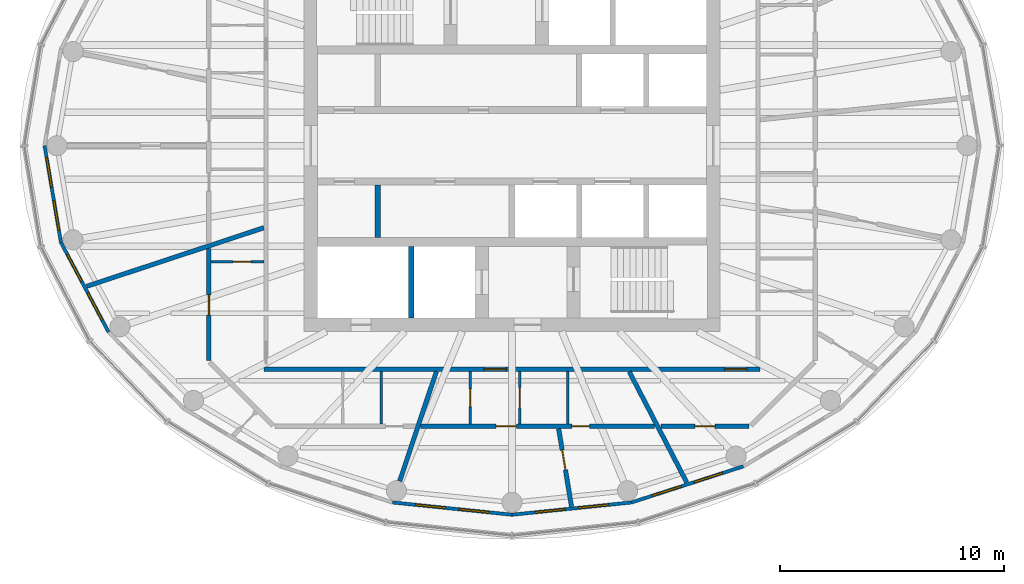
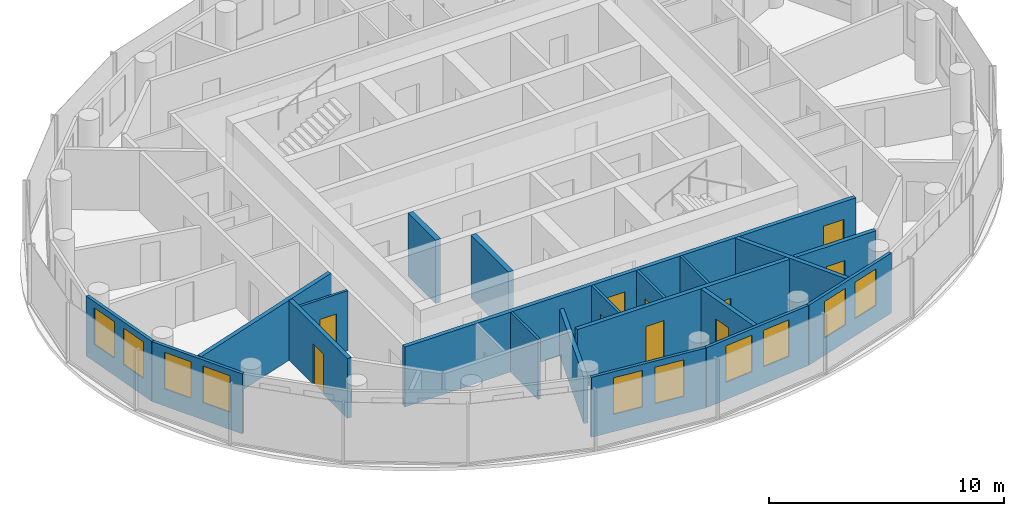
# One storey, part 5 of 11: 20 walls, 10 doors, 10 windows, 20 openings.
"""IFC4 building model written with IfcOpenShell, lengths in metres."""

from ifc_helpers import new_model, si_unit, direction, frame, frame_2d, origin, place, context, subcontext, project, spatial, rectangle, extrude, material, layer, layer_set, type_object, element, fill, save


model = new_model("IFC4")

# Units and contexts
model_context = context("Model", 3, precision=1e-05, world=origin(), true_north=direction((0.0, 1.0)))
body_context = subcontext(model_context, "Body", "Model", "MODEL_VIEW")
ifc_project = project(units=[si_unit("LENGTHUNIT", "METRE"), si_unit("AREAUNIT", "SQUARE_METRE"), si_unit("VOLUMEUNIT", "CUBIC_METRE"), si_unit("PLANEANGLEUNIT", "RADIAN"), si_unit("MASSUNIT", "GRAM", prefix="KILO")], contexts=[model_context])

# Site, building, storey
site_placement = place(None, origin())
site = spatial("IfcSite", under=ifc_project, at=site_placement, CompositionType="ELEMENT")
building_placement = place(site_placement, origin())
building = spatial("IfcBuilding", under=site, at=building_placement, Name="Hankou Lantern Tower", CompositionType="ELEMENT")
storey_placement = place(building_placement, frame((0.0, 0.0, 206.10009765625)))
storey = spatial("IfcBuildingStorey", under=building, at=storey_placement, Name="L55", CompositionType="ELEMENT", Elevation=206.10009765625)

# Wall, openings, windows
ifc_material_1 = material(Name="Aluminium spandrel panel on steel studs", Category="steel")
ifc_layer_1 = layer(ifc_material_1, 0.14990234375)
ifc_layer_set_1 = layer_set([ifc_layer_1], Name="Aluminium spandrel panel on steel studs")
wall_type_1 = type_object("IfcWallType", Name="EW1 INNER SKIN WALL 150", PredefinedType="ELEMENTEDWALL", material=ifc_layer_set_1)
wall_1_placement = place(storey_placement, frame((-20.89990234375, 0.0, 0.0), z_axis=(0.0, 0.0, 1.0), x_axis=(0.166538513568, -0.986034950445, 0.0)))
wall_1 = element("IfcWall", 1, at=wall_1_placement, inside=storey, type_object=wall_type_1, Name="Inner skin R13-R14 L55", PredefinedType="ELEMENTEDWALL", context=body_context, shape_type="SweptSolid", body=[
    extrude(rectangle(XDim=4.384765625, YDim=0.14990234375, at=frame_2d((2.1923828125, 0.0))), origin(), (0.0, 0.0, 1.0), 3.119873046875),
])
opening_1_placement = place(wall_1_placement, frame((0.54248046875, 0.0, 0.89990234375)))
opening_1 = element("IfcOpeningElement", 2, at=opening_1_placement, cuts=wall_1, Name="Opening W4", PredefinedType="OPENING", context=body_context, shape_type="SweptSolid", body=[
    extrude(rectangle(XDim=1.35009765625, YDim=1.89990234375, at=frame_2d((0.675048828125, 0.949951171875))), frame((0.0, 0.0849609375, 0.0), z_axis=(0.0, -1.0, 0.0), x_axis=(1.0, 0.0, 0.0)), (0.0, 0.0, 1.0), 0.169921875),
])
opening_2_placement = place(wall_1_placement, frame((2.492431640625, 0.0, 0.89990234375)))
opening_2 = element("IfcOpeningElement", 3, at=opening_2_placement, cuts=wall_1, Name="Opening W4", PredefinedType="OPENING", context=body_context, shape_type="SweptSolid", body=[
    extrude(rectangle(XDim=1.35009765625, YDim=1.89990234375, at=frame_2d((0.675048828125, 0.949951171875))), frame((0.0, 0.0849609375, 0.0), z_axis=(0.0, -1.0, 0.0), x_axis=(1.0, 0.0, 0.0)), (0.0, 0.0, 1.0), 0.169921875),
])
ifc_material_2 = material(Name="Aluminium framed double glazed window", Category="aluminium")
window_type = type_object("IfcWindowType", Name="W4 SUITE WINDOW 1350X1900", PartitioningType="DOUBLE_PANEL_VERTICAL", PredefinedType="WINDOW", material=ifc_material_2)
window_1_placement = place(opening_1_placement, origin())
window_1 = element("IfcWindow", 4, at=window_1_placement, inside=storey, type_object=window_type, Name="Window R13.1 L55", OverallHeight=1.89990234375, OverallWidth=1.35009765625, PartitioningType="SINGLE_PANEL", PredefinedType="WINDOW", context=body_context, shape_type="SweptSolid", body=[
    extrude(rectangle(XDim=1.35009765625, YDim=1.89990234375, at=frame_2d((0.675048828125, 0.949951171875))), frame((0.0, 0.030029296875, 0.0), z_axis=(0.0, -1.0, 0.0), x_axis=(1.0, 0.0, 0.0)), (0.0, 0.0, 1.0), 0.06005859375),
])
fill(opening_1, window_1)
window_2_placement = place(opening_2_placement, origin())
window_2 = element("IfcWindow", 5, at=window_2_placement, inside=storey, type_object=window_type, Name="Window R13.2 L55", OverallHeight=1.89990234375, OverallWidth=1.35009765625, PartitioningType="SINGLE_PANEL", PredefinedType="WINDOW", context=body_context, shape_type="SweptSolid", body=[
    extrude(rectangle(XDim=1.35009765625, YDim=1.89990234375, at=frame_2d((0.675048828125, 0.949951171875))), frame((0.0, 0.030029296875, 0.0), z_axis=(0.0, -1.0, 0.0), x_axis=(1.0, 0.0, 0.0)), (0.0, 0.0, 1.0), 0.06005859375),
])
fill(opening_2, window_2)

wall_2_placement = place(storey_placement, frame((-20.169677734375, -4.323486328125, 0.0), z_axis=(0.0, 0.0, 1.0), x_axis=(0.469256152955, -0.883062094597, 0.0)))
wall_2 = element("IfcWall", 6, at=wall_2_placement, inside=storey, type_object=wall_type_1, Name="Inner skin R14-R15 L55", PredefinedType="ELEMENTEDWALL", context=body_context, shape_type="SweptSolid", body=[
    extrude(rectangle(XDim=4.539306640625, YDim=0.14990234375, at=frame_2d((2.26953125, 0.0))), origin(), (0.0, 0.0, 1.0), 3.119873046875),
])
opening_3_placement = place(wall_2_placement, frame((0.61962890625, 0.0, 0.89990234375)))
opening_3 = element("IfcOpeningElement", 7, at=opening_3_placement, cuts=wall_2, Name="Opening W4", PredefinedType="OPENING", context=body_context, shape_type="SweptSolid", body=[
    extrude(rectangle(XDim=1.35009765625, YDim=1.89990234375, at=frame_2d((0.675048828125, 0.949951171875))), frame((0.0, 0.0849609375, 0.0), z_axis=(0.0, -1.0, 0.0), x_axis=(1.0, 0.0, 0.0)), (0.0, 0.0, 1.0), 0.169921875),
])
opening_4_placement = place(wall_2_placement, frame((2.569580078125, 0.0, 0.89990234375)))
opening_4 = element("IfcOpeningElement", 8, at=opening_4_placement, cuts=wall_2, Name="Opening W4", PredefinedType="OPENING", context=body_context, shape_type="SweptSolid", body=[
    extrude(rectangle(XDim=1.35009765625, YDim=1.89990234375, at=frame_2d((0.675048828125, 0.949951171875))), frame((0.0, 0.0849609375, 0.0), z_axis=(0.0, -1.0, 0.0), x_axis=(1.0, 0.0, 0.0)), (0.0, 0.0, 1.0), 0.169921875),
])
window_3_placement = place(opening_3_placement, origin())
window_3 = element("IfcWindow", 9, at=window_3_placement, inside=storey, type_object=window_type, Name="Window R14.1 L55", OverallHeight=1.89990234375, OverallWidth=1.35009765625, PartitioningType="SINGLE_PANEL", PredefinedType="WINDOW", context=body_context, shape_type="SweptSolid", body=[
    extrude(rectangle(XDim=1.35009765625, YDim=1.89990234375, at=frame_2d((0.675048828125, 0.949951171875))), frame((0.0, 0.030029296875, 0.0), z_axis=(0.0, -1.0, 0.0), x_axis=(1.0, 0.0, 0.0)), (0.0, 0.0, 1.0), 0.06005859375),
])
fill(opening_3, window_3)
window_4_placement = place(opening_4_placement, origin())
window_4 = element("IfcWindow", 10, at=window_4_placement, inside=storey, type_object=window_type, Name="Window R14.2 L55", OverallHeight=1.89990234375, OverallWidth=1.35009765625, PartitioningType="SINGLE_PANEL", PredefinedType="WINDOW", context=body_context, shape_type="SweptSolid", body=[
    extrude(rectangle(XDim=1.35009765625, YDim=1.89990234375, at=frame_2d((0.675048828125, 0.949951171875))), frame((0.0, 0.030029296875, 0.0), z_axis=(0.0, -1.0, 0.0), x_axis=(1.0, 0.0, 0.0)), (0.0, 0.0, 1.0), 0.06005859375),
])
fill(opening_4, window_4)

wall_3_placement = place(storey_placement, frame((-5.3427734375, -15.95166015625, 0.0), z_axis=(0.0, 0.0, 1.0), x_axis=(0.994774574972, -0.102095763818, 0.0)))
wall_3 = element("IfcWall", 11, at=wall_3_placement, inside=storey, type_object=wall_type_1, Name="Inner skin R18-R19 L55", PredefinedType="ELEMENTEDWALL", context=body_context, shape_type="SweptSolid", body=[
    extrude(rectangle(XDim=5.370849609375, YDim=0.14990234375, at=frame_2d((2.685546875, 0.0))), origin(), (0.0, 0.0, 1.0), 3.119873046875),
])
opening_5_placement = place(wall_3_placement, frame((1.035400390625, 0.0, 0.89990234375)))
opening_5 = element("IfcOpeningElement", 12, at=opening_5_placement, cuts=wall_3, Name="Opening W4", PredefinedType="OPENING", context=body_context, shape_type="SweptSolid", body=[
    extrude(rectangle(XDim=1.35009765625, YDim=1.89990234375, at=frame_2d((0.675048828125, 0.949951171875))), frame((0.0, 0.0849609375, 0.0), z_axis=(0.0, -1.0, 0.0), x_axis=(1.0, 0.0, 0.0)), (0.0, 0.0, 1.0), 0.169921875),
])
opening_6_placement = place(wall_3_placement, frame((2.9853515625, 0.0, 0.89990234375)))
opening_6 = element("IfcOpeningElement", 13, at=opening_6_placement, cuts=wall_3, Name="Opening W4", PredefinedType="OPENING", context=body_context, shape_type="SweptSolid", body=[
    extrude(rectangle(XDim=1.35009765625, YDim=1.89990234375, at=frame_2d((0.675048828125, 0.949951171875))), frame((0.0, 0.0849609375, 0.0), z_axis=(0.0, -1.0, 0.0), x_axis=(1.0, 0.0, 0.0)), (0.0, 0.0, 1.0), 0.169921875),
])
window_5_placement = place(opening_5_placement, origin())
window_5 = element("IfcWindow", 14, at=window_5_placement, inside=storey, type_object=window_type, Name="Window R18.1 L55", OverallHeight=1.89990234375, OverallWidth=1.35009765625, PartitioningType="SINGLE_PANEL", PredefinedType="WINDOW", context=body_context, shape_type="SweptSolid", body=[
    extrude(rectangle(XDim=1.35009765625, YDim=1.89990234375, at=frame_2d((0.675048828125, 0.949951171875))), frame((0.0, 0.030029296875, 0.0), z_axis=(0.0, -1.0, 0.0), x_axis=(1.0, 0.0, 0.0)), (0.0, 0.0, 1.0), 0.06005859375),
])
fill(opening_5, window_5)
window_6_placement = place(opening_6_placement, origin())
window_6 = element("IfcWindow", 15, at=window_6_placement, inside=storey, type_object=window_type, Name="Window R18.2 L55", OverallHeight=1.89990234375, OverallWidth=1.35009765625, PartitioningType="SINGLE_PANEL", PredefinedType="WINDOW", context=body_context, shape_type="SweptSolid", body=[
    extrude(rectangle(XDim=1.35009765625, YDim=1.89990234375, at=frame_2d((0.675048828125, 0.949951171875))), frame((0.0, 0.030029296875, 0.0), z_axis=(0.0, -1.0, 0.0), x_axis=(1.0, 0.0, 0.0)), (0.0, 0.0, 1.0), 0.06005859375),
])
fill(opening_6, window_6)

wall_4_placement = place(storey_placement, frame((0.0, -16.5, 0.0), z_axis=(0.0, 0.0, 1.0), x_axis=(0.994774574972, 0.102095763818, 0.0)))
wall_4 = element("IfcWall", 16, at=wall_4_placement, inside=storey, type_object=wall_type_1, Name="Inner skin R19-R20 L55", PredefinedType="ELEMENTEDWALL", context=body_context, shape_type="SweptSolid", body=[
    extrude(rectangle(XDim=5.370849609375, YDim=0.14990234375, at=frame_2d((2.685546875, 0.0))), origin(), (0.0, 0.0, 1.0), 3.119873046875),
])
opening_7_placement = place(wall_4_placement, frame((1.035400390625, 0.0, 0.89990234375)))
opening_7 = element("IfcOpeningElement", 17, at=opening_7_placement, cuts=wall_4, Name="Opening W4", PredefinedType="OPENING", context=body_context, shape_type="SweptSolid", body=[
    extrude(rectangle(XDim=1.35009765625, YDim=1.89990234375, at=frame_2d((0.675048828125, 0.949951171875))), frame((0.0, 0.0849609375, 0.0), z_axis=(0.0, -1.0, 0.0), x_axis=(1.0, 0.0, 0.0)), (0.0, 0.0, 1.0), 0.169921875),
])
opening_8_placement = place(wall_4_placement, frame((2.9853515625, 0.0, 0.89990234375)))
opening_8 = element("IfcOpeningElement", 18, at=opening_8_placement, cuts=wall_4, Name="Opening W4", PredefinedType="OPENING", context=body_context, shape_type="SweptSolid", body=[
    extrude(rectangle(XDim=1.35009765625, YDim=1.89990234375, at=frame_2d((0.675048828125, 0.949951171875))), frame((0.0, 0.0849609375, 0.0), z_axis=(0.0, -1.0, 0.0), x_axis=(1.0, 0.0, 0.0)), (0.0, 0.0, 1.0), 0.169921875),
])
window_7_placement = place(opening_7_placement, origin())
window_7 = element("IfcWindow", 19, at=window_7_placement, inside=storey, type_object=window_type, Name="Window R19.1 L55", OverallHeight=1.89990234375, OverallWidth=1.35009765625, PartitioningType="SINGLE_PANEL", PredefinedType="WINDOW", context=body_context, shape_type="SweptSolid", body=[
    extrude(rectangle(XDim=1.35009765625, YDim=1.89990234375, at=frame_2d((0.675048828125, 0.949951171875))), frame((0.0, 0.030029296875, 0.0), z_axis=(0.0, -1.0, 0.0), x_axis=(1.0, 0.0, 0.0)), (0.0, 0.0, 1.0), 0.06005859375),
])
fill(opening_7, window_7)
window_8_placement = place(opening_8_placement, origin())
window_8 = element("IfcWindow", 20, at=window_8_placement, inside=storey, type_object=window_type, Name="Window R19.2 L55", OverallHeight=1.89990234375, OverallWidth=1.35009765625, PartitioningType="SINGLE_PANEL", PredefinedType="WINDOW", context=body_context, shape_type="SweptSolid", body=[
    extrude(rectangle(XDim=1.35009765625, YDim=1.89990234375, at=frame_2d((0.675048828125, 0.949951171875))), frame((0.0, 0.030029296875, 0.0), z_axis=(0.0, -1.0, 0.0), x_axis=(1.0, 0.0, 0.0)), (0.0, 0.0, 1.0), 0.06005859375),
])
fill(opening_8, window_8)

wall_5_placement = place(storey_placement, frame((5.3427734375, -15.95166015625, 0.0), z_axis=(0.0, 0.0, 1.0), x_axis=(0.951644702515, 0.307200846638, 0.0)))
wall_5 = element("IfcWall", 21, at=wall_5_placement, inside=storey, type_object=wall_type_1, Name="Inner skin R20-R21 L55", PredefinedType="ELEMENTEDWALL", context=body_context, shape_type="SweptSolid", body=[
    extrude(rectangle(XDim=5.2578125, YDim=0.14990234375, at=frame_2d((2.62890625, 0.0))), origin(), (0.0, 0.0, 1.0), 3.119873046875),
])
opening_9_placement = place(wall_5_placement, frame((0.97900390625, 0.0, 0.89990234375)))
opening_9 = element("IfcOpeningElement", 22, at=opening_9_placement, cuts=wall_5, Name="Opening W4", PredefinedType="OPENING", context=body_context, shape_type="SweptSolid", body=[
    extrude(rectangle(XDim=1.35009765625, YDim=1.89990234375, at=frame_2d((0.675048828125, 0.949951171875))), frame((0.0, 0.0849609375, 0.0), z_axis=(0.0, -1.0, 0.0), x_axis=(1.0, 0.0, 0.0)), (0.0, 0.0, 1.0), 0.169921875),
])
opening_10_placement = place(wall_5_placement, frame((2.928955078125, 0.0, 0.89990234375)))
opening_10 = element("IfcOpeningElement", 23, at=opening_10_placement, cuts=wall_5, Name="Opening W4", PredefinedType="OPENING", context=body_context, shape_type="SweptSolid", body=[
    extrude(rectangle(XDim=1.35009765625, YDim=1.89990234375, at=frame_2d((0.675048828125, 0.949951171875))), frame((0.0, 0.0849609375, 0.0), z_axis=(0.0, -1.0, 0.0), x_axis=(1.0, 0.0, 0.0)), (0.0, 0.0, 1.0), 0.169921875),
])
window_9_placement = place(opening_9_placement, origin())
window_9 = element("IfcWindow", 24, at=window_9_placement, inside=storey, type_object=window_type, Name="Window R20.1 L55", OverallHeight=1.89990234375, OverallWidth=1.35009765625, PartitioningType="SINGLE_PANEL", PredefinedType="WINDOW", context=body_context, shape_type="SweptSolid", body=[
    extrude(rectangle(XDim=1.35009765625, YDim=1.89990234375, at=frame_2d((0.675048828125, 0.949951171875))), frame((0.0, 0.030029296875, 0.0), z_axis=(0.0, -1.0, 0.0), x_axis=(1.0, 0.0, 0.0)), (0.0, 0.0, 1.0), 0.06005859375),
])
fill(opening_9, window_9)
window_10_placement = place(opening_10_placement, origin())
window_10 = element("IfcWindow", 25, at=window_10_placement, inside=storey, type_object=window_type, Name="Window R20.2 L55", OverallHeight=1.89990234375, OverallWidth=1.35009765625, PartitioningType="SINGLE_PANEL", PredefinedType="WINDOW", context=body_context, shape_type="SweptSolid", body=[
    extrude(rectangle(XDim=1.35009765625, YDim=1.89990234375, at=frame_2d((0.675048828125, 0.949951171875))), frame((0.0, 0.030029296875, 0.0), z_axis=(0.0, -1.0, 0.0), x_axis=(1.0, 0.0, 0.0)), (0.0, 0.0, 1.0), 0.06005859375),
])
fill(opening_10, window_10)

# Walls
ifc_material_3 = material(Name="Masonry lightweight concrete block", Category="masonry")
ifc_layer_2 = layer(ifc_material_3, 0.199951171875)
ifc_layer_set_2 = layer_set([ifc_layer_2], Name="Masonry lightweight concrete block")
wall_type_2 = type_object("IfcWallType", Name="IW1 GUEST ROOM PARTY WALL 200", PredefinedType="PARTITIONING", material=ifc_layer_set_2)
wall_6_placement = place(storey_placement, frame((-11.10009765625, -3.668701171875, 0.0), z_axis=(0.0, 0.0, 1.0), x_axis=(-0.949476668397, -0.313837627079, 0.0)))
element("IfcWall", 26, at=wall_6_placement, inside=storey, type_object=wall_type_2, Name="Party wall R14-R15", PredefinedType="PARTITIONING", context=body_context, shape_type="SweptSolid", body=[
    extrude(rectangle(XDim=8.338623046875, YDim=0.199951171875, at=frame_2d((4.16943359375, 0.0))), origin(), (0.0, 0.0, 1.0), 3.119873046875),
])
wall_7_placement = place(storey_placement, frame((-3.3828125, -10.10009765625, 0.0), z_axis=(0.0, 0.0, 1.0), x_axis=(-0.317602151035, -0.948224063003, 0.0)))
element("IfcWall", 27, at=wall_7_placement, inside=storey, type_object=wall_type_2, Name="Party wall R18", PredefinedType="PARTITIONING", context=body_context, shape_type="SweptSolid", body=[
    extrude(rectangle(XDim=5.16796875, YDim=0.199951171875, at=frame_2d((2.583984375, 0.0))), origin(), (0.0, 0.0, 1.0), 2.419921875),
])
wall_8_placement = place(storey_placement, frame((5.2412109375, -10.10009765625, 0.0), z_axis=(0.0, 0.0, 1.0), x_axis=(0.460603196597, -0.887606160008, 0.0)))
element("IfcWall", 28, at=wall_8_placement, inside=storey, type_object=wall_type_2, Name="Party wall R20-R21", PredefinedType="PARTITIONING", context=body_context, shape_type="SweptSolid", body=[
    extrude(rectangle(XDim=5.580322265625, YDim=0.199951171875, at=frame_2d((2.7900390625, 0.0))), origin(), (0.0, 0.0, 1.0), 3.119873046875),
])

# Wall, openings, doors
ifc_material_4 = material(Name="Masonry lightweight concrete block", Category="masonry")
ifc_layer_3 = layer(ifc_material_4, 0.199951171875)
ifc_layer_set_3 = layer_set([ifc_layer_3], Name="Masonry lightweight concrete block")
wall_type_3 = type_object("IfcWallType", Name="IW2 CORRIDOR WALL 200", PredefinedType="PARTITIONING", material=ifc_layer_set_3)
wall_9_placement = place(storey_placement, frame((11.10009765625, -10.0, 0.0), z_axis=(0.0, 0.0, 1.0), x_axis=(-1.0, 0.0, 0.0)))
wall_9 = element("IfcWall", 29, at=wall_9_placement, inside=storey, type_object=wall_type_3, Name="Corridor wall south", PredefinedType="PARTITIONING", context=body_context, shape_type="SweptSolid", body=[
    extrude(rectangle(XDim=22.2001953125, YDim=0.199951171875, at=frame_2d((11.10009765625, 0.0))), origin(), (0.0, 0.0, 1.0), 3.119873046875),
])
opening_11_placement = place(wall_9_placement, frame((11.359619140625, 0.0, 0.0)))
opening_11 = element("IfcOpeningElement", 30, at=opening_11_placement, cuts=wall_9, Name="Opening D2", PredefinedType="OPENING", context=body_context, shape_type="SweptSolid", body=[
    extrude(rectangle(XDim=1.0, YDim=2.199951171875, at=frame_2d((0.5, 1.10009765625))), frame((0.0, 0.10986328125, 0.0), z_axis=(0.0, -1.0, 0.0), x_axis=(1.0, 0.0, 0.0)), (0.0, 0.0, 1.0), 0.219970703125),
])
opening_12_placement = place(wall_9_placement, frame((0.594970703125, 0.0, 0.0)))
opening_12 = element("IfcOpeningElement", 31, at=opening_12_placement, cuts=wall_9, Name="Opening D2", PredefinedType="OPENING", context=body_context, shape_type="SweptSolid", body=[
    extrude(rectangle(XDim=1.0, YDim=2.199951171875, at=frame_2d((0.5, 1.10009765625))), frame((0.0, 0.10986328125, 0.0), z_axis=(0.0, -1.0, 0.0), x_axis=(1.0, 0.0, 0.0)), (0.0, 0.0, 1.0), 0.219970703125),
])
ifc_material_5 = material(Name="Steel door leaf", Category="steel")
door_type_1 = type_object("IfcDoorType", Name="D2 SUITE DOOR 1000X2200", OperationType="SINGLE_SWING_LEFT", PredefinedType="DOOR", material=ifc_material_5)
door_1_placement = place(opening_11_placement, origin())
door_1 = element("IfcDoor", 32, at=door_1_placement, inside=storey, type_object=door_type_1, Name="Suite door 5505", OperationType="SINGLE_SWING_RIGHT", OverallHeight=2.199951171875, OverallWidth=1.0, PredefinedType="DOOR", context=body_context, shape_type="SweptSolid", body=[
    extrude(rectangle(XDim=1.0, YDim=2.199951171875, at=frame_2d((0.5, 1.10009765625))), frame((0.0, 0.02490234375, 0.0), z_axis=(0.0, -1.0, 0.0), x_axis=(1.0, 0.0, 0.0)), (0.0, 0.0, 1.0), 0.050048828125),
])
fill(opening_11, door_1)
door_2_placement = place(opening_12_placement, origin())
door_2 = element("IfcDoor", 33, at=door_2_placement, inside=storey, type_object=door_type_1, Name="Suite door 5506", OperationType="SINGLE_SWING_RIGHT", OverallHeight=2.199951171875, OverallWidth=1.0, PredefinedType="DOOR", context=body_context, shape_type="SweptSolid", body=[
    extrude(rectangle(XDim=1.0, YDim=2.199951171875, at=frame_2d((0.5, 1.10009765625))), frame((0.0, 0.02490234375, 0.0), z_axis=(0.0, -1.0, 0.0), x_axis=(1.0, 0.0, 0.0)), (0.0, 0.0, 1.0), 0.050048828125),
])
fill(opening_12, door_2)

# Wall, opening, door
ifc_material_6 = material(Name="Masonry lightweight concrete block", Category="masonry")
ifc_layer_4 = layer(ifc_material_6, 0.1201171875)
ifc_layer_set_4 = layer_set([ifc_layer_4], Name="Masonry lightweight concrete block")
wall_type_4 = type_object("IfcWallType", Name="IW3 BATHROOM WALL 120", PredefinedType="PARTITIONING", material=ifc_layer_set_4)
wall_10_placement = place(storey_placement, frame((-11.10009765625, -5.185302734375, 0.0), z_axis=(0.0, 0.0, 1.0), x_axis=(-1.0, 0.0, 0.0)))
wall_10 = element("IfcWall", 34, at=wall_10_placement, inside=storey, type_object=wall_type_4, Name="Box wall 5504 1", PredefinedType="PARTITIONING", context=body_context, shape_type="SweptSolid", body=[
    extrude(rectangle(XDim=2.349853515625, YDim=0.1201171875, at=frame_2d((1.1748046875, 0.0))), origin(), (0.0, 0.0, 1.0), 3.119873046875),
])
opening_13_placement = place(wall_10_placement, frame((0.570068359375, 0.0, 0.0)))
opening_13 = element("IfcOpeningElement", 35, at=opening_13_placement, cuts=wall_10, Name="Opening D3", PredefinedType="OPENING", context=body_context, shape_type="SweptSolid", body=[
    extrude(rectangle(XDim=0.800048828125, YDim=2.10009765625, at=frame_2d((0.39990234375, 1.050048828125))), frame((0.0, 0.070068359375, 0.0), z_axis=(0.0, -1.0, 0.0), x_axis=(1.0, 0.0, 0.0)), (0.0, 0.0, 1.0), 0.14013671875),
])
ifc_material_7 = material(Name="Timber door leaf", Category="wood")
door_type_2 = type_object("IfcDoorType", Name="D3 BATHROOM DOOR 800X2100", OperationType="SINGLE_SWING_LEFT", PredefinedType="DOOR", material=ifc_material_7)
door_3_placement = place(opening_13_placement, origin())
door_3 = element("IfcDoor", 36, at=door_3_placement, inside=storey, type_object=door_type_2, Name="Suite 5504 guest WC door", OperationType="SINGLE_SWING_LEFT", OverallHeight=2.10009765625, OverallWidth=0.800048828125, PredefinedType="DOOR", context=body_context, shape_type="SweptSolid", body=[
    extrude(rectangle(XDim=0.800048828125, YDim=2.10009765625, at=frame_2d((0.39990234375, 1.050048828125))), frame((0.0, 0.02490234375, 0.0), z_axis=(0.0, -1.0, 0.0), x_axis=(1.0, 0.0, 0.0)), (0.0, 0.0, 1.0), 0.050048828125),
])
fill(opening_13, door_3)

# Wall
wall_11_placement = place(storey_placement, frame((-5.849365234375, -10.10009765625, 0.0), z_axis=(0.0, 0.0, 1.0), x_axis=(0.0, -1.0, 0.0)))
element("IfcWall", 37, at=wall_11_placement, inside=storey, type_object=wall_type_4, Name="Box wall 5504 3", PredefinedType="PARTITIONING", context=body_context, shape_type="SweptSolid", body=[
    extrude(rectangle(XDim=2.349853515625, YDim=0.1201171875, at=frame_2d((1.1748046875, 0.0))), origin(), (0.0, 0.0, 1.0), 3.119873046875),
])

# Wall, opening, door
wall_12_placement = place(storey_placement, frame((-1.86962890625, -10.10009765625, 0.0), z_axis=(0.0, 0.0, 1.0), x_axis=(0.0, -1.0, 0.0)))
wall_12 = element("IfcWall", 38, at=wall_12_placement, inside=storey, type_object=wall_type_4, Name="Box wall 5505 1", PredefinedType="PARTITIONING", context=body_context, shape_type="SweptSolid", body=[
    extrude(rectangle(XDim=2.349853515625, YDim=0.1201171875, at=frame_2d((1.1748046875, 0.0))), origin(), (0.0, 0.0, 1.0), 3.119873046875),
])
opening_14_placement = place(wall_12_placement, frame((0.77001953125, 0.0, 0.0)))
opening_14 = element("IfcOpeningElement", 39, at=opening_14_placement, cuts=wall_12, Name="Opening D3", PredefinedType="OPENING", context=body_context, shape_type="SweptSolid", body=[
    extrude(rectangle(XDim=0.800048828125, YDim=2.10009765625, at=frame_2d((0.39990234375, 1.050048828125))), frame((0.0, 0.070068359375, 0.0), z_axis=(0.0, -1.0, 0.0), x_axis=(1.0, 0.0, 0.0)), (0.0, 0.0, 1.0), 0.14013671875),
])
door_4_placement = place(opening_14_placement, origin())
door_4 = element("IfcDoor", 40, at=door_4_placement, inside=storey, type_object=door_type_2, Name="Suite 5505 guest WC door", OperationType="SINGLE_SWING_LEFT", OverallHeight=2.10009765625, OverallWidth=0.800048828125, PredefinedType="DOOR", context=body_context, shape_type="SweptSolid", body=[
    extrude(rectangle(XDim=0.800048828125, YDim=2.10009765625, at=frame_2d((0.39990234375, 1.050048828125))), frame((0.0, 0.02490234375, 0.0), z_axis=(0.0, -1.0, 0.0), x_axis=(1.0, 0.0, 0.0)), (0.0, 0.0, 1.0), 0.050048828125),
])
fill(opening_14, door_4)

wall_13_placement = place(storey_placement, frame((0.350341796875, -10.10009765625, 0.0), z_axis=(0.0, 0.0, 1.0), x_axis=(0.0, -1.0, 0.0)))
wall_13 = element("IfcWall", 41, at=wall_13_placement, inside=storey, type_object=wall_type_4, Name="Box wall 5505 2", PredefinedType="PARTITIONING", context=body_context, shape_type="SweptSolid", body=[
    extrude(rectangle(XDim=2.349853515625, YDim=0.1201171875, at=frame_2d((1.1748046875, 0.0))), origin(), (0.0, 0.0, 1.0), 3.119873046875),
])
opening_15_placement = place(wall_13_placement, frame((0.719970703125, 0.0, 0.0)))
opening_15 = element("IfcOpeningElement", 42, at=opening_15_placement, cuts=wall_13, Name="Opening D27", PredefinedType="OPENING", context=body_context, shape_type="SweptSolid", body=[
    extrude(rectangle(XDim=0.89990234375, YDim=2.10009765625, at=frame_2d((0.449951171875, 1.050048828125))), frame((0.0, 0.070068359375, 0.0), z_axis=(0.0, -1.0, 0.0), x_axis=(1.0, 0.0, 0.0)), (0.0, 0.0, 1.0), 0.14013671875),
])
ifc_material_8 = material(Name="Timber door leaf", Category="wood")
door_type_3 = type_object("IfcDoorType", Name="D27 INTERNAL DOOR 900X2100", OperationType="SINGLE_SWING_LEFT", PredefinedType="DOOR", material=ifc_material_8)
door_5_placement = place(opening_15_placement, origin())
door_5 = element("IfcDoor", 43, at=door_5_placement, inside=storey, type_object=door_type_3, Name="Suite 5505 walk-in wardrobe door", OperationType="SINGLE_SWING_LEFT", OverallHeight=2.10009765625, OverallWidth=0.89990234375, PredefinedType="DOOR", context=body_context, shape_type="SweptSolid", body=[
    extrude(rectangle(XDim=0.89990234375, YDim=2.10009765625, at=frame_2d((0.449951171875, 1.050048828125))), frame((0.0, 0.02490234375, 0.0), z_axis=(0.0, -1.0, 0.0), x_axis=(1.0, 0.0, 0.0)), (0.0, 0.0, 1.0), 0.050048828125),
])
fill(opening_15, door_5)

# Wall
wall_14_placement = place(storey_placement, frame((2.489501953125, -10.10009765625, 0.0), z_axis=(0.0, 0.0, 1.0), x_axis=(0.0, -1.0, 0.0)))
element("IfcWall", 44, at=wall_14_placement, inside=storey, type_object=wall_type_4, Name="Box wall 5505 3", PredefinedType="PARTITIONING", context=body_context, shape_type="SweptSolid", body=[
    extrude(rectangle(XDim=2.349853515625, YDim=0.1201171875, at=frame_2d((1.1748046875, 0.0))), origin(), (0.0, 0.0, 1.0), 3.119873046875),
])

# Wall, opening, door
ifc_material_9 = material(Name="Masonry lightweight concrete block", Category="masonry")
ifc_layer_5 = layer(ifc_material_9, 0.199951171875)
ifc_layer_set_5 = layer_set([ifc_layer_5], Name="Masonry lightweight concrete block")
wall_type_5 = type_object("IfcWallType", Name="IW6 SUITE PARTITION 200", PredefinedType="PARTITIONING", material=ifc_layer_set_5)
wall_15_placement = place(storey_placement, frame((-13.550048828125, -4.599853515625, 0.0), z_axis=(0.0, 0.0, 1.0), x_axis=(0.0, -1.0, 0.0)))
wall_15 = element("IfcWall", 45, at=wall_15_placement, inside=storey, type_object=wall_type_5, Name="Suite foyer wall 5504", PredefinedType="PARTITIONING", context=body_context, shape_type="SweptSolid", body=[
    extrude(rectangle(XDim=5.0087890625, YDim=0.199951171875, at=frame_2d((2.50439453125, 0.0))), origin(), (0.0, 0.0, 1.0), 3.119873046875),
])
opening_16_placement = place(wall_15_placement, frame((2.070068359375, 0.0, 0.0)))
opening_16 = element("IfcOpeningElement", 46, at=opening_16_placement, cuts=wall_15, Name="Opening D27", PredefinedType="OPENING", context=body_context, shape_type="SweptSolid", body=[
    extrude(rectangle(XDim=0.89990234375, YDim=2.10009765625, at=frame_2d((0.449951171875, 1.050048828125))), frame((0.0, 0.10986328125, 0.0), z_axis=(0.0, -1.0, 0.0), x_axis=(1.0, 0.0, 0.0)), (0.0, 0.0, 1.0), 0.219970703125),
])
door_6_placement = place(opening_16_placement, origin())
door_6 = element("IfcDoor", 47, at=door_6_placement, inside=storey, type_object=door_type_3, Name="Suite 5504 living room door", OperationType="SINGLE_SWING_LEFT", OverallHeight=2.10009765625, OverallWidth=0.89990234375, PredefinedType="DOOR", context=body_context, shape_type="SweptSolid", body=[
    extrude(rectangle(XDim=0.89990234375, YDim=2.10009765625, at=frame_2d((0.449951171875, 1.050048828125))), frame((0.0, 0.02490234375, 0.0), z_axis=(0.0, -1.0, 0.0), x_axis=(1.0, 0.0, 0.0)), (0.0, 0.0, 1.0), 0.050048828125),
])
fill(opening_16, door_6)

# Wall, openings, doors
wall_16_placement = place(storey_placement, frame((-4.08203125, -12.550048828125, 0.0), z_axis=(0.0, 0.0, 1.0), x_axis=(1.0, 0.0, 0.0)))
wall_16 = element("IfcWall", 48, at=wall_16_placement, inside=storey, type_object=wall_type_5, Name="Suite foyer wall 5505", PredefinedType="PARTITIONING", context=body_context, shape_type="SweptSolid", body=[
    extrude(rectangle(XDim=10.44580078125, YDim=0.199951171875, at=frame_2d((5.222900390625, 0.0))), origin(), (0.0, 0.0, 1.0), 3.119873046875),
])
opening_17_placement = place(wall_16_placement, frame((6.756591796875, 0.0, 0.0)))
opening_17 = element("IfcOpeningElement", 49, at=opening_17_placement, cuts=wall_16, Name="Opening D3", PredefinedType="OPENING", context=body_context, shape_type="SweptSolid", body=[
    extrude(rectangle(XDim=0.800048828125, YDim=2.10009765625, at=frame_2d((0.39990234375, 1.050048828125))), frame((0.0, 0.10986328125, 0.0), z_axis=(0.0, -1.0, 0.0), x_axis=(1.0, 0.0, 0.0)), (0.0, 0.0, 1.0), 0.219970703125),
])
opening_18_placement = place(wall_16_placement, frame((3.372314453125, 0.0, 0.0)))
opening_18 = element("IfcOpeningElement", 50, at=opening_18_placement, cuts=wall_16, Name="Opening D27", PredefinedType="OPENING", context=body_context, shape_type="SweptSolid", body=[
    extrude(rectangle(XDim=0.89990234375, YDim=2.10009765625, at=frame_2d((0.449951171875, 1.050048828125))), frame((0.0, 0.10986328125, 0.0), z_axis=(0.0, -1.0, 0.0), x_axis=(1.0, 0.0, 0.0)), (0.0, 0.0, 1.0), 0.219970703125),
])
door_7_placement = place(opening_18_placement, origin())
door_7 = element("IfcDoor", 51, at=door_7_placement, inside=storey, type_object=door_type_3, Name="Suite 5505 living room door", OperationType="SINGLE_SWING_RIGHT", OverallHeight=2.10009765625, OverallWidth=0.89990234375, PredefinedType="DOOR", context=body_context, shape_type="SweptSolid", body=[
    extrude(rectangle(XDim=0.89990234375, YDim=2.10009765625, at=frame_2d((0.449951171875, 1.050048828125))), frame((0.0, 0.02490234375, 0.0), z_axis=(0.0, -1.0, 0.0), x_axis=(1.0, 0.0, 0.0)), (0.0, 0.0, 1.0), 0.050048828125),
])
fill(opening_18, door_7)
door_8_placement = place(opening_17_placement, origin())
door_8 = element("IfcDoor", 52, at=door_8_placement, inside=storey, type_object=door_type_2, Name="Suite 5505 bathroom door", OperationType="SINGLE_SWING_LEFT", OverallHeight=2.10009765625, OverallWidth=0.800048828125, PredefinedType="DOOR", context=body_context, shape_type="SweptSolid", body=[
    extrude(rectangle(XDim=0.800048828125, YDim=2.10009765625, at=frame_2d((0.39990234375, 1.050048828125))), frame((0.0, 0.02490234375, 0.0), z_axis=(0.0, -1.0, 0.0), x_axis=(1.0, 0.0, 0.0)), (0.0, 0.0, 1.0), 0.050048828125),
])
fill(opening_17, door_8)

# Wall, opening, door
wall_17_placement = place(storey_placement, frame((2.08642578125, -12.64990234375, 0.0), z_axis=(0.0, 0.0, 1.0), x_axis=(0.162664077359, -0.986681507852, 0.0)))
wall_17 = element("IfcWall", 53, at=wall_17_placement, inside=storey, type_object=wall_type_5, Name="Suite partition R19-R20", PredefinedType="PARTITIONING", context=body_context, shape_type="SweptSolid", body=[
    extrude(rectangle(XDim=3.53759765625, YDim=0.199951171875, at=frame_2d((1.768798828125, 0.0))), origin(), (0.0, 0.0, 1.0), 3.119873046875),
])
opening_19_placement = place(wall_17_placement, frame((0.969970703125, 0.0, 0.0)))
opening_19 = element("IfcOpeningElement", 54, at=opening_19_placement, cuts=wall_17, Name="Opening D27", PredefinedType="OPENING", context=body_context, shape_type="SweptSolid", body=[
    extrude(rectangle(XDim=0.89990234375, YDim=2.10009765625, at=frame_2d((0.449951171875, 1.050048828125))), frame((0.0, 0.10986328125, 0.0), z_axis=(0.0, -1.0, 0.0), x_axis=(1.0, 0.0, 0.0)), (0.0, 0.0, 1.0), 0.219970703125),
])
door_9_placement = place(opening_19_placement, origin())
door_9 = element("IfcDoor", 55, at=door_9_placement, inside=storey, type_object=door_type_3, Name="Suite 5505 bedroom door", OperationType="SINGLE_SWING_LEFT", OverallHeight=2.10009765625, OverallWidth=0.89990234375, PredefinedType="DOOR", context=body_context, shape_type="SweptSolid", body=[
    extrude(rectangle(XDim=0.89990234375, YDim=2.10009765625, at=frame_2d((0.449951171875, 1.050048828125))), frame((0.0, 0.02490234375, 0.0), z_axis=(0.0, -1.0, 0.0), x_axis=(1.0, 0.0, 0.0)), (0.0, 0.0, 1.0), 0.050048828125),
])
fill(opening_19, door_9)

wall_18_placement = place(storey_placement, frame((6.661376953125, -12.550048828125, 0.0), z_axis=(0.0, 0.0, 1.0), x_axis=(1.0, 0.0, 0.0)))
wall_18 = element("IfcWall", 56, at=wall_18_placement, inside=storey, type_object=wall_type_5, Name="Suite foyer wall 5506", PredefinedType="PARTITIONING", context=body_context, shape_type="SweptSolid", body=[
    extrude(rectangle(XDim=3.947265625, YDim=0.199951171875, at=frame_2d((1.9736328125, 0.0))), origin(), (0.0, 0.0, 1.0), 3.119873046875),
])
opening_20_placement = place(wall_18_placement, frame((1.52001953125, 0.0, 0.0)))
opening_20 = element("IfcOpeningElement", 57, at=opening_20_placement, cuts=wall_18, Name="Opening D27", PredefinedType="OPENING", context=body_context, shape_type="SweptSolid", body=[
    extrude(rectangle(XDim=0.89990234375, YDim=2.10009765625, at=frame_2d((0.449951171875, 1.050048828125))), frame((0.0, 0.10986328125, 0.0), z_axis=(0.0, -1.0, 0.0), x_axis=(1.0, 0.0, 0.0)), (0.0, 0.0, 1.0), 0.219970703125),
])
door_10_placement = place(opening_20_placement, origin())
door_10 = element("IfcDoor", 58, at=door_10_placement, inside=storey, type_object=door_type_3, Name="Corner suite 5506 living room door", OperationType="SINGLE_SWING_LEFT", OverallHeight=2.10009765625, OverallWidth=0.89990234375, PredefinedType="DOOR", context=body_context, shape_type="SweptSolid", body=[
    extrude(rectangle(XDim=0.89990234375, YDim=2.10009765625, at=frame_2d((0.449951171875, 1.050048828125))), frame((0.0, 0.02490234375, 0.0), z_axis=(0.0, -1.0, 0.0), x_axis=(1.0, 0.0, 0.0)), (0.0, 0.0, 1.0), 0.050048828125),
])
fill(opening_20, door_10)

# Walls
ifc_material_10 = material(Name="Masonry autoclaved aerated concrete block", Category="masonry")
ifc_layer_6 = layer(ifc_material_10, 0.25)
ifc_layer_set_6 = layer_set([ifc_layer_6], Name="Masonry autoclaved aerated concrete block")
wall_type_6 = type_object("IfcWallType", Name="SW1 SHAFT BLOCK WALL 250", PredefinedType="PARTITIONING", material=ifc_layer_set_6)
wall_19_placement = place(storey_placement, frame((-4.5, -7.699951171875, 0.0), z_axis=(0.0, 0.0, 1.0), x_axis=(0.0, 1.0, 0.0)))
element("IfcWall", 59, at=wall_19_placement, inside=storey, type_object=wall_type_6, Name="Riser wall L55", PredefinedType="PARTITIONING", context=body_context, shape_type="SweptSolid", body=[
    extrude(rectangle(XDim=3.199951171875, YDim=0.25, at=frame_2d((1.60009765625, 0.0))), origin(), (0.0, 0.0, 1.0), 3.2998046875),
])
wall_20_placement = place(storey_placement, frame((-6.0, -4.10009765625, 0.0), z_axis=(0.0, 0.0, 1.0), x_axis=(0.0, 1.0, 0.0)))
element("IfcWall", 60, at=wall_20_placement, inside=storey, type_object=wall_type_6, Name="Lift shaft wall L55", PredefinedType="PARTITIONING", context=body_context, shape_type="SweptSolid", body=[
    extrude(rectangle(XDim=2.35009765625, YDim=0.25, at=frame_2d((1.175048828125, 0.0))), origin(), (0.0, 0.0, 1.0), 3.2998046875),
])

save(model, "model.ifc")
